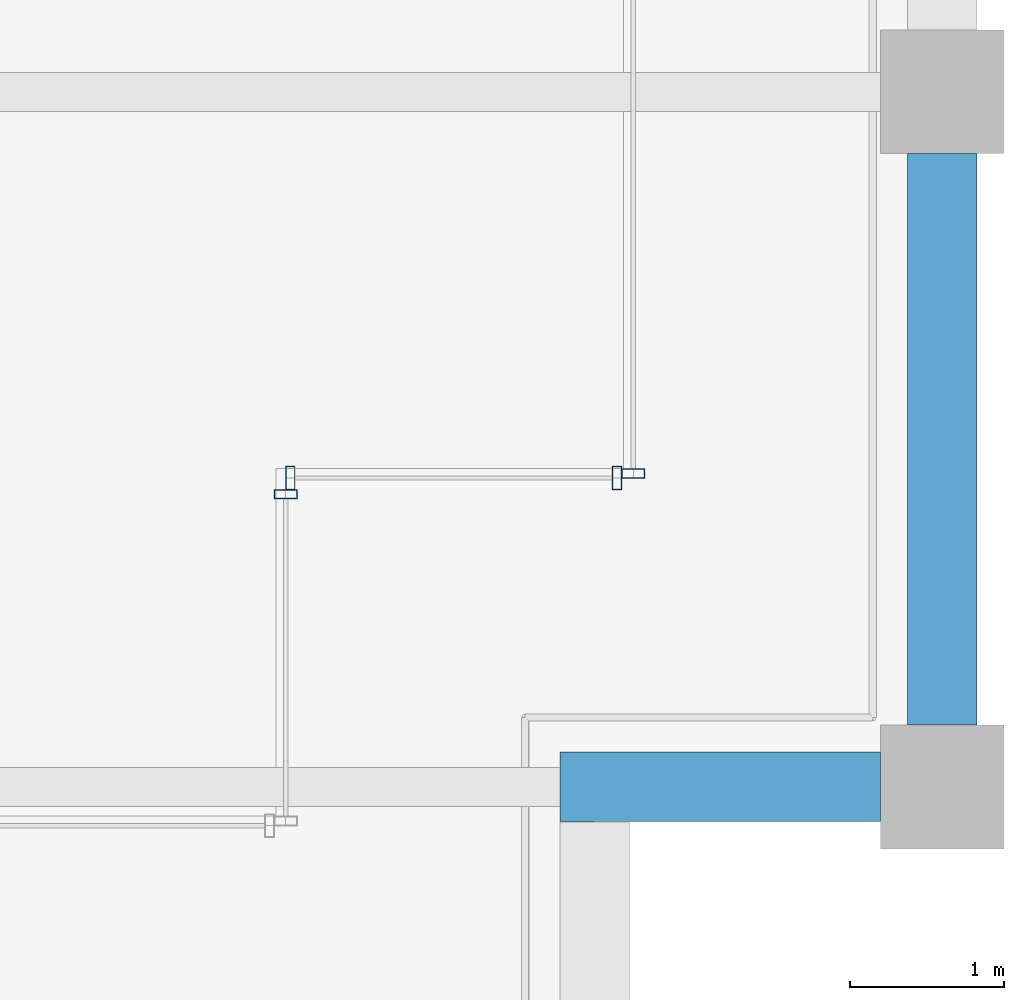
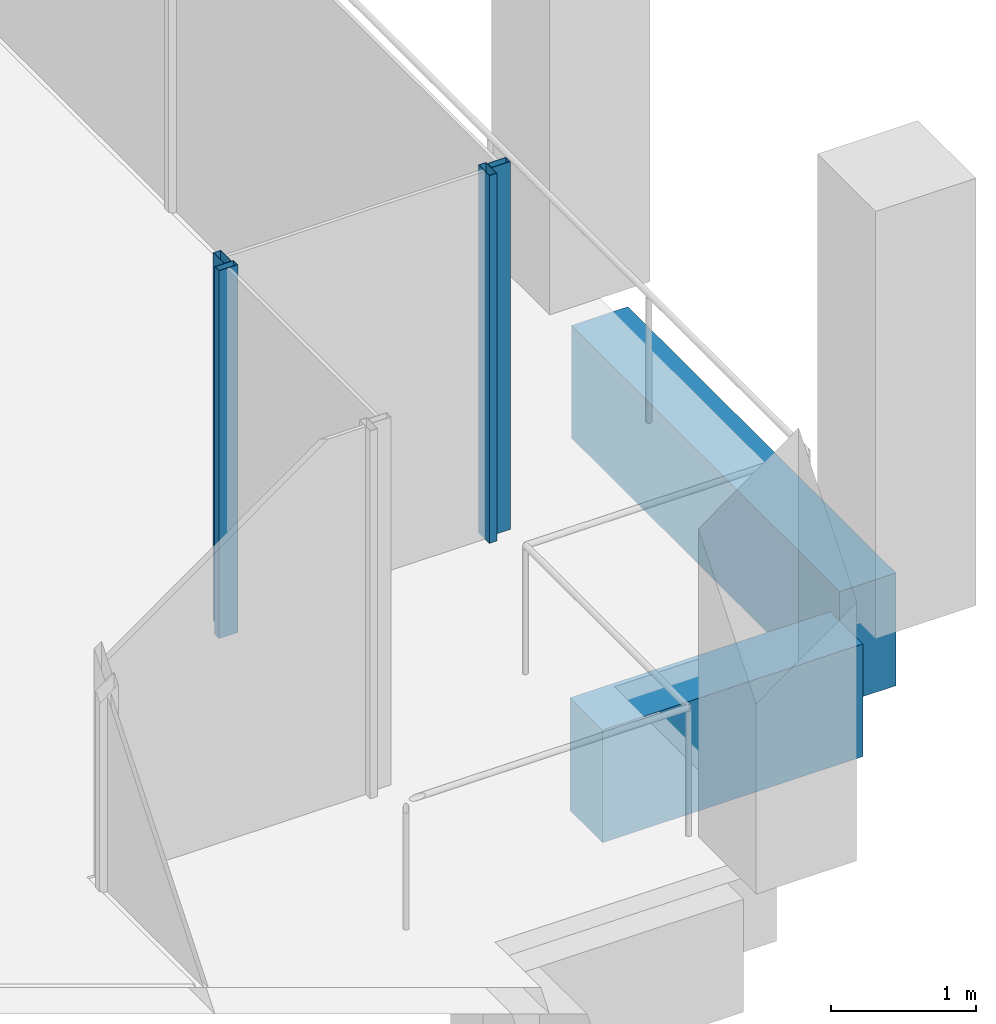
# One storey, part 13 of 30: 4 members, 2 beams, 3 elements without a shape of their own.
"""IFC4 building model written with IfcOpenShell, lengths in metres."""

from ifc_helpers import new_model, si_unit, direction, frame, origin, origin_2d, place, context, subcontext, project, spatial, rectangle, hollow_rectangle, extrude, material, material_profile, profile_set, type_object, element, aggregate, save


model = new_model("IFC4")

# Units and contexts
model_context = context("Model", 3, precision=1e-05, world=origin(), true_north=direction((0.0, 1.0)))
body_context = subcontext(model_context, "Body", "Model", "MODEL_VIEW")
ifc_project = project(units=[si_unit("LENGTHUNIT", "METRE"), si_unit("AREAUNIT", "SQUARE_METRE"), si_unit("VOLUMEUNIT", "CUBIC_METRE"), si_unit("PLANEANGLEUNIT", "RADIAN"), si_unit("MASSUNIT", "GRAM", prefix="KILO")], contexts=[model_context])

# Site, building, storey
site_placement = place(None, origin())
site = spatial("IfcSite", under=ifc_project, at=site_placement, CompositionType="ELEMENT")
building_placement = place(site_placement, origin())
building = spatial("IfcBuilding", under=site, at=building_placement, Name="Altepetl Exchange Towers", CompositionType="ELEMENT")
storey_placement = place(building_placement, frame((0.0, 0.0, 231.60009765625)))
storey = spatial("IfcBuildingStorey", under=building, at=storey_placement, Name="L59", CompositionType="ELEMENT", Elevation=231.60009765625)

# Curtain wall, member
ifc_material_1 = material(Name="Aluminium 6063-T6 glazing", Category="aluminium")
curtain_wall_type = type_object("IfcCurtainWallType", Name="Loggia glazing system", PredefinedType="NOTDEFINED", material=ifc_material_1)
curtain_wall_1_placement = place(storey_placement, origin())
curtain_wall_1 = element("IfcCurtainWall", 1, at=curtain_wall_1_placement, inside=storey, type_object=curtain_wall_type, Name="CW1 run", PredefinedType="NOTDEFINED")
ifc_material_2 = material(Name="Aluminium 6063-T6", Category="aluminium")
ifc_material_profile_1 = material_profile(ifc_material_2, hollow_rectangle(XDim=0.06005859375, YDim=0.14990234375, WallThickness=0.0029296875, at=origin_2d()), Name="Mullion 60x150 aluminium")
ifc_profile_set_1 = profile_set([ifc_material_profile_1], Name="Aluminium 6063-T6")
member_type = type_object("IfcMemberType", Name="Mullion 60x150 aluminium", PredefinedType="MULLION", material=ifc_profile_set_1)
member_1_placement = place(storey_placement, frame((67.75, 33.39501953125, 0.0), z_axis=(0.0, 0.0, 1.0), x_axis=(0.0, 1.0, 0.0)))
member_1 = element("IfcMember", 2, at=member_1_placement, type_object=member_type, Name="MU1 mullion", PredefinedType="MULLION", context=body_context, shape_type="SweptSolid", body=[
    extrude(hollow_rectangle(XDim=0.06005859375, YDim=0.14990234375, WallThickness=0.0029296875, at=origin_2d()), origin(), (0.0, 0.0, 1.0), 3.099853515625),
])
aggregate(curtain_wall_1, [member_1])

# Curtain wall, members
curtain_wall_2_placement = place(storey_placement, origin())
curtain_wall_2 = element("IfcCurtainWall", 3, at=curtain_wall_2_placement, inside=storey, type_object=curtain_wall_type, Name="CW1 run", PredefinedType="NOTDEFINED")
member_2_placement = place(storey_placement, frame((67.780029296875, 33.5, 0.0)))
member_2 = element("IfcMember", 4, at=member_2_placement, type_object=member_type, Name="MU1 mullion", PredefinedType="MULLION", context=body_context, shape_type="SweptSolid", body=[
    extrude(hollow_rectangle(XDim=0.06005859375, YDim=0.14990234375, WallThickness=0.0029296875, at=origin_2d()), origin(), (0.0, 0.0, 1.0), 3.099853515625),
])
member_3_placement = place(storey_placement, frame((69.89501953125, 33.5, 0.0)))
member_3 = element("IfcMember", 5, at=member_3_placement, type_object=member_type, Name="MU1 mullion", PredefinedType="MULLION", context=body_context, shape_type="SweptSolid", body=[
    extrude(hollow_rectangle(XDim=0.06005859375, YDim=0.14990234375, WallThickness=0.0029296875, at=origin_2d()), origin(), (0.0, 0.0, 1.0), 3.099853515625),
])
aggregate(curtain_wall_2, [member_2, member_3])

# Curtain wall, member
curtain_wall_3_placement = place(storey_placement, origin())
curtain_wall_3 = element("IfcCurtainWall", 6, at=curtain_wall_3_placement, inside=storey, type_object=curtain_wall_type, Name="CW1 run", PredefinedType="NOTDEFINED")
member_4_placement = place(storey_placement, frame((70.0, 33.530029296875, 0.0), z_axis=(0.0, 0.0, 1.0), x_axis=(0.0, 1.0, 0.0)))
member_4 = element("IfcMember", 7, at=member_4_placement, type_object=member_type, Name="MU1 mullion", PredefinedType="MULLION", context=body_context, shape_type="SweptSolid", body=[
    extrude(hollow_rectangle(XDim=0.06005859375, YDim=0.14990234375, WallThickness=0.0029296875, at=origin_2d()), origin(), (0.0, 0.0, 1.0), 3.099853515625),
])
aggregate(curtain_wall_3, [member_4])

# Beams
ifc_material_3 = material(Name="Concrete C50/60 precast with cantera amarilla facing", Category="concrete")
ifc_material_profile_2 = material_profile(ifc_material_3, rectangle(XDim=0.449951171875, YDim=0.949951171875, at=origin_2d()), Name="450 x 950")
ifc_profile_set_2 = profile_set([ifc_material_profile_2], Name="Concrete C50/60 precast with cantera amarilla facing")
beam_type = type_object("IfcBeamType", Name="Spandrel beam 450x950 cantera amarilla", PredefinedType="SPANDREL", material=ifc_profile_set_2)
beam_1_placement = place(storey_placement, frame((69.52490234375, 31.5, -0.625), z_axis=(1.0, 0.0, 0.0), x_axis=(0.0, 1.0, 0.0)))
element("IfcBeam", 8, at=beam_1_placement, inside=storey, type_object=beam_type, Name="sp:A:L59:011", PredefinedType="SPANDREL", context=body_context, shape_type="SweptSolid", body=[
    extrude(rectangle(XDim=0.449951171875, YDim=0.949951171875, at=origin_2d()), origin(), (0.0, 0.0, 1.0), 2.0751953125),
])
beam_2_placement = place(storey_placement, frame((72.0, 31.89990234375, -0.625), z_axis=(0.0, 1.0, 0.0), x_axis=(-1.0, 0.0, 0.0)))
element("IfcBeam", 9, at=beam_2_placement, inside=storey, type_object=beam_type, Name="sp:A:L59:012", PredefinedType="SPANDREL", context=body_context, shape_type="SweptSolid", body=[
    extrude(rectangle(XDim=0.449951171875, YDim=0.949951171875, at=origin_2d()), origin(), (0.0, 0.0, 1.0), 3.7001953125),
])

save(model, "model.ifc")
